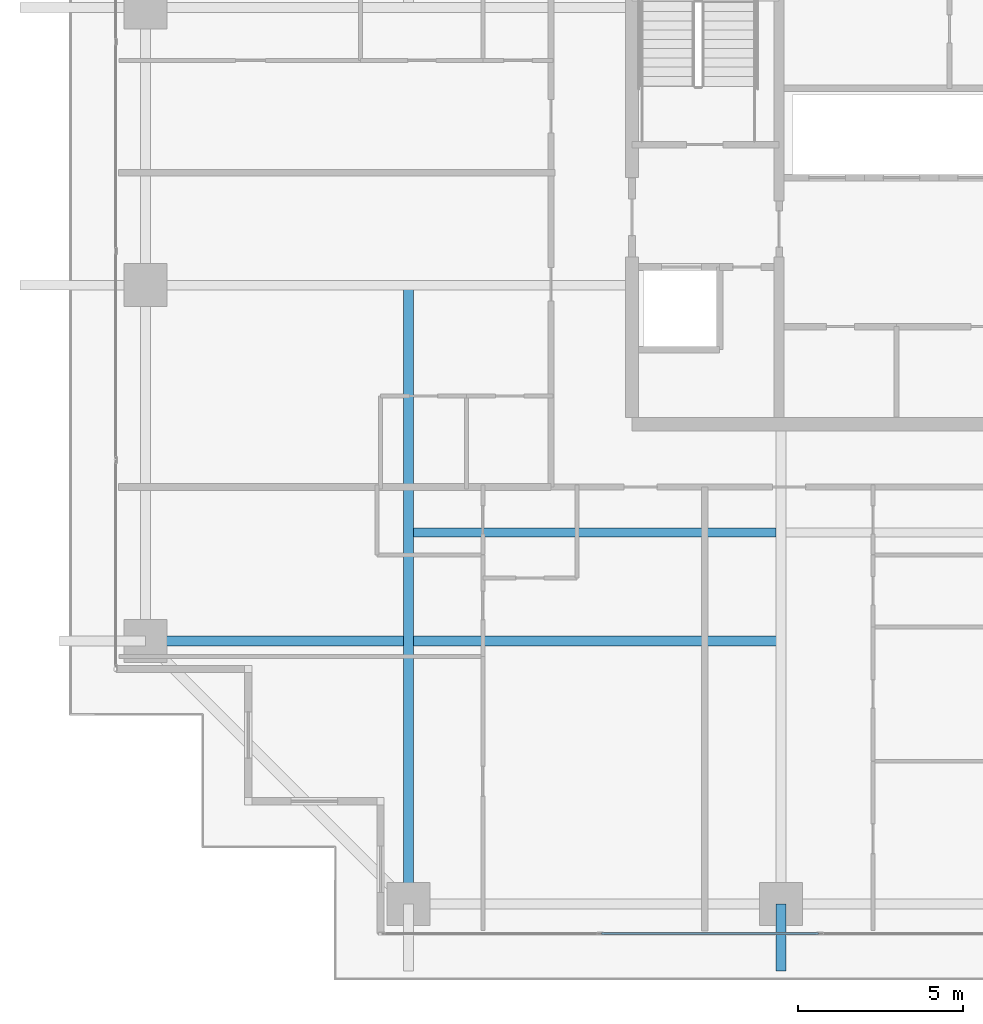
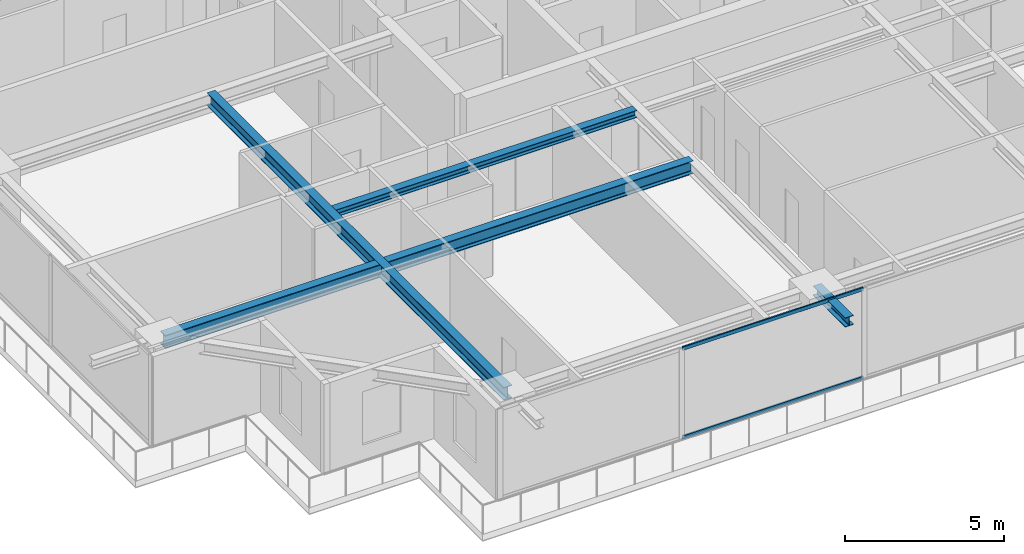
# One storey, part 4 of 34: 4 beams, 2 members, 1 element without a shape of its own.
"""IFC4 building model written with IfcOpenShell, lengths in metres."""

from ifc_helpers import new_model, si_unit, direction, frame, origin, origin_2d, place, context, subcontext, project, spatial, hollow_rectangle, i_section, extrude, source, transform, mapped, material, layer, layer_set, material_profile, profile_set, type_object, element, aggregate, save


model = new_model("IFC4")

# Units and contexts
model_context = context("Model", 3, precision=1e-05, world=origin(), true_north=direction((0.0, 1.0)))
body_context = subcontext(model_context, "Body", "Model", "MODEL_VIEW")
ifc_project = project(units=[si_unit("LENGTHUNIT", "METRE"), si_unit("AREAUNIT", "SQUARE_METRE"), si_unit("VOLUMEUNIT", "CUBIC_METRE"), si_unit("PLANEANGLEUNIT", "RADIAN"), si_unit("MASSUNIT", "GRAM", prefix="KILO")], contexts=[model_context])

# Site, building, storey
site_placement = place(None, origin())
site = spatial("IfcSite", under=ifc_project, at=site_placement, CompositionType="ELEMENT")
building_placement = place(site_placement, origin())
building = spatial("IfcBuilding", under=site, at=building_placement, Name="Serunith Strait Residences", CompositionType="ELEMENT")
storey_placement = place(building_placement, frame((0.0, 0.0, 180.14990234375)))
storey = spatial("IfcBuildingStorey", under=building, at=storey_placement, Name="L45", CompositionType="ELEMENT", Elevation=180.14990234375)

# Beams
ifc_material_1 = material(Name="Steel S355J2", Category="steel")
ifc_material_profile_1 = material_profile(ifc_material_1, i_section(OverallWidth=0.300048828125, OverallDepth=0.5, WebThickness=0.014404296875, FlangeThickness=0.028076171875, FilletRadius=0.027099609375, at=origin_2d()), Name="HEB 500")
ifc_profile_set_1 = profile_set([ifc_material_profile_1], Name="Steel S355J2")
beam_type_1 = type_object("IfcBeamType", Name="BM-HEB500", PredefinedType="BEAM", material=ifc_profile_set_1)
shared_shape_1 = source(origin(), body_context, "Body", "SweptSolid", [
    extrude(i_section(OverallWidth=0.300048828125, OverallDepth=0.5, WebThickness=0.014404296875, FlangeThickness=0.028076171875, FilletRadius=0.027099609375, at=origin_2d()), origin(), (0.0, 0.0, 1.0), 18.699951171875),
])
beam_1_placement = place(storey_placement, frame((16.64990234375, 21.0, 3.237060546875), z_axis=(0.0, -1.0, 0.0), x_axis=(1.0, 0.0, 0.0)))
element("IfcBeam", 1, at=beam_1_placement, inside=storey, type_object=beam_type_1, Name="L45 Orthogonal Corner Girder TC-S1", PredefinedType="BEAM", context=body_context, shape_type="MappedRepresentation", body=[
    mapped(shared_shape_1, transform((0.0, 0.0, 0.0), scale=1.0)),
])
shared_shape_2 = source(origin(), body_context, "Body", "SweptSolid", [
    extrude(i_section(OverallWidth=0.300048828125, OverallDepth=0.5, WebThickness=0.014404296875, FlangeThickness=0.028076171875, FilletRadius=0.027099609375, at=origin_2d()), origin(), (0.0, 0.0, 1.0), 19.199951171875),
])
beam_2_placement = place(storey_placement, frame((27.89990234375, 10.25, 3.237060546875), z_axis=(-1.0, 0.0, 0.0), x_axis=(0.0, -1.0, 0.0)))
element("IfcBeam", 2, at=beam_2_placement, inside=storey, type_object=beam_type_1, Name="L45 Orthogonal Corner Girder TC-W1", PredefinedType="BEAM", context=body_context, shape_type="MappedRepresentation", body=[
    mapped(shared_shape_2, transform((0.0, 0.0, 0.0), scale=1.0)),
])
ifc_material_profile_2 = material_profile(ifc_material_1, i_section(OverallWidth=0.280029296875, OverallDepth=0.280029296875, WebThickness=0.010498046875, FlangeThickness=0.01806640625, FilletRadius=0.02392578125, at=origin_2d()), Name="HEB 280")
ifc_profile_set_2 = profile_set([ifc_material_profile_2], Name="Steel S355J2")
beam_type_2 = type_object("IfcBeamType", Name="BM-HEB280", PredefinedType="JOIST", material=ifc_profile_set_2)
shared_shape_3 = source(origin(), body_context, "Body", "SweptSolid", [
    extrude(i_section(OverallWidth=0.280029296875, OverallDepth=0.280029296875, WebThickness=0.010498046875, FlangeThickness=0.01806640625, FilletRadius=0.02392578125, at=origin_2d()), origin(), (0.0, 0.0, 1.0), 10.949951171875),
])
beam_3_placement = place(storey_placement, frame((16.800048828125, 13.52490234375, 3.34716796875), z_axis=(1.0, 0.0, 0.0), x_axis=(0.0, 1.0, 0.0)))
element("IfcBeam", 3, at=beam_3_placement, inside=storey, type_object=beam_type_2, Name="L45 Composite Floor Joist 01", PredefinedType="JOIST", context=body_context, shape_type="MappedRepresentation", body=[
    mapped(shared_shape_3, transform((0.0, 0.0, 0.0), scale=1.0)),
])
ifc_material_profile_3 = material_profile(ifc_material_1, i_section(OverallWidth=0.300048828125, OverallDepth=0.360107421875, WebThickness=0.012451171875, FlangeThickness=0.0224609375, FilletRadius=0.027099609375, at=origin_2d()), Name="HEB 360")
ifc_profile_set_3 = profile_set([ifc_material_profile_3], Name="Steel S355J2")
beam_type_3 = type_object("IfcBeamType", Name="BM-HEB360", PredefinedType="BEAM", material=ifc_profile_set_3)
shared_shape_4 = source(origin(), body_context, "Body", "SweptSolid", [
    extrude(i_section(OverallWidth=0.300048828125, OverallDepth=0.360107421875, WebThickness=0.012451171875, FlangeThickness=0.0224609375, FilletRadius=0.027099609375, at=origin_2d()), origin(), (0.0, 0.0, 1.0), 2.030029296875),
])
beam_4_placement = place(storey_placement, frame((27.89990234375, 2.300048828125, 3.277099609375), z_axis=(0.0, -1.0, 0.0), x_axis=(1.0, 0.0, 0.0)))
element("IfcBeam", 4, at=beam_4_placement, inside=storey, type_object=beam_type_3, Name="L46 Cantilevered Balcony Rib TC-S2", PredefinedType="BEAM", context=body_context, shape_type="MappedRepresentation", body=[
    mapped(shared_shape_4, transform((0.0, 0.0, 0.0), scale=1.0)),
])

# Curtain wall, members
ifc_material_2 = material(Name="Pale-Champagne Anodised Aluminium", Category="aluminium")
ifc_layer = layer(ifc_material_2, 0.199951171875, Name="Pale-Champagne Anodised Aluminium")
ifc_layer_set = layer_set([ifc_layer], Name="Pale-Champagne Anodised Aluminium")
curtain_wall_type = type_object("IfcCurtainWallType", Name="CW-SYS2", PredefinedType="NOTDEFINED", material=ifc_layer_set)
curtain_wall_placement = place(storey_placement, origin())
curtain_wall = element("IfcCurtainWall", 5, at=curtain_wall_placement, inside=storey, type_object=curtain_wall_type, Name="L45 S Unitised Fritted Curtain Wall", PredefinedType="NOTDEFINED")
ifc_material_profile_4 = material_profile(ifc_material_2, hollow_rectangle(XDim=0.06005859375, YDim=0.139892578125, WallThickness=0.00341796875, InnerFilletRadius=0.00537109375, OuterFilletRadius=0.0087890625, at=origin_2d()), Name="ALU 140x60x3.5")
ifc_profile_set_4 = profile_set([ifc_material_profile_4], Name="Pale-Champagne Anodised Aluminium")
member_type = type_object("IfcMemberType", Name="CW-SYS2-TRAN", PredefinedType="USERDEFINED", material=ifc_profile_set_4)
shared_shape_5 = source(origin(), body_context, "Body", "SweptSolid", [
    extrude(hollow_rectangle(XDim=0.06005859375, YDim=0.139892578125, WallThickness=0.00341796875, InnerFilletRadius=0.00537109375, OuterFilletRadius=0.0087890625, at=origin_2d()), origin(), (0.0, 0.0, 1.0), 6.56982421875),
])
member_1_placement = place(storey_placement, frame((22.47509765625, 1.39990234375, 0.030029296875), z_axis=(1.0, 0.0, 0.0), x_axis=(0.0, 1.0, 0.0)))
member_1 = element("IfcMember", 6, at=member_1_placement, type_object=member_type, Name="CW-2 transom 2.1", ObjectType="TRANSOM", PredefinedType="USERDEFINED", context=body_context, shape_type="MappedRepresentation", body=[
    mapped(shared_shape_5, transform((0.0, 0.0, 0.0), scale=1.0)),
])
member_2_placement = place(storey_placement, frame((22.47509765625, 1.39990234375, 3.445068359375), z_axis=(1.0, 0.0, 0.0), x_axis=(0.0, 1.0, 0.0)))
member_2 = element("IfcMember", 7, at=member_2_placement, type_object=member_type, Name="CW-2 transom 2.2", ObjectType="TRANSOM", PredefinedType="USERDEFINED", context=body_context, shape_type="MappedRepresentation", body=[
    mapped(shared_shape_5, transform((0.0, 0.0, 0.0), scale=1.0)),
])
aggregate(curtain_wall, [member_1, member_2])

save(model, "model.ifc")
